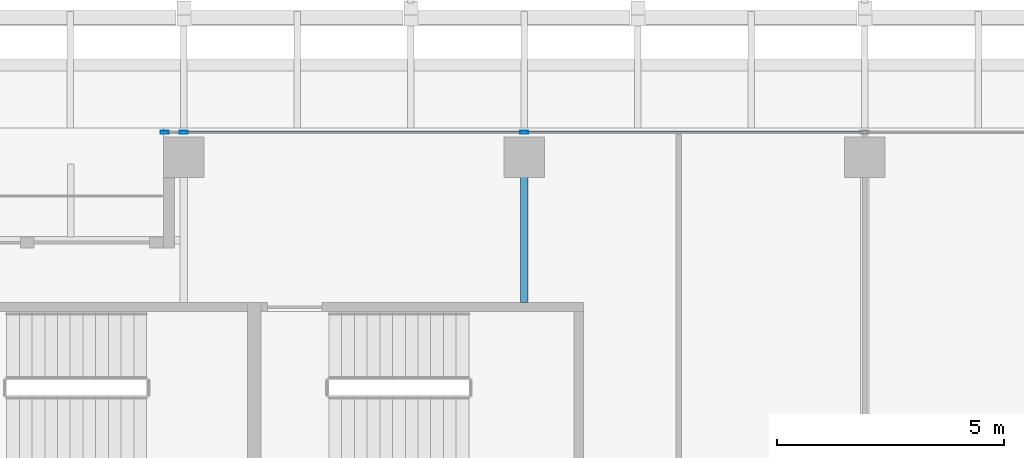
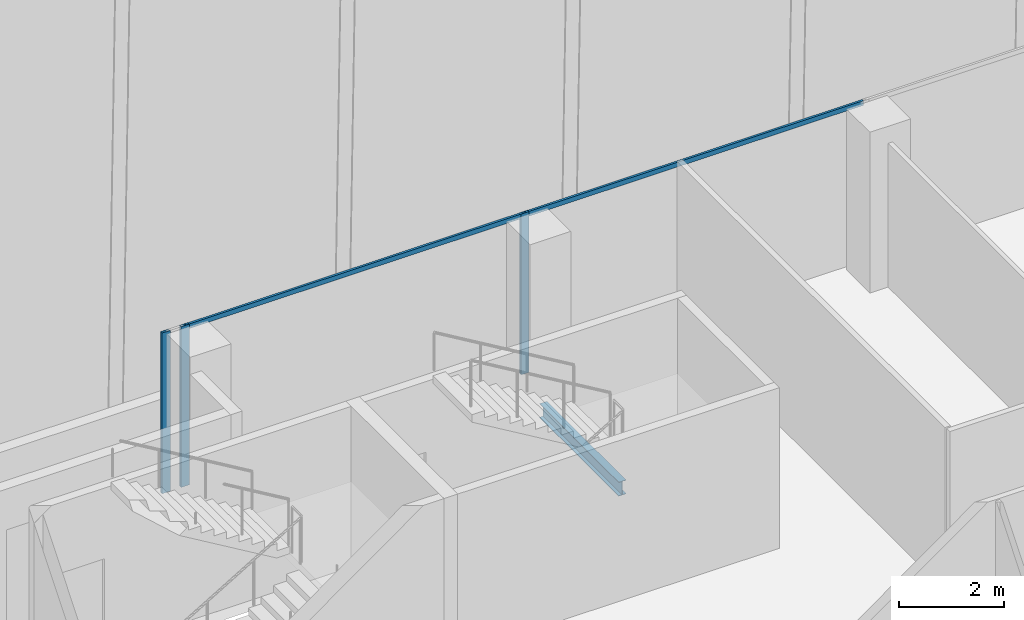
# One storey, part 16 of 33: 5 members, 1 beam, 1 element without a shape of its own.
"""IFC4 building model written with IfcOpenShell, lengths in metres."""

from ifc_helpers import new_model, si_unit, direction, frame, origin, origin_2d, place, context, subcontext, project, spatial, hollow_rectangle, i_section, extrude, source, transform, mapped, material, material_profile, profile_set, type_object, element, aggregate, save


model = new_model("IFC4")

# Units and contexts
model_context = context("Model", 3, precision=1e-05, world=origin(), true_north=direction((0.0, 1.0)))
body_context = subcontext(model_context, "Body", "Model", "MODEL_VIEW")
ifc_project = project(units=[si_unit("LENGTHUNIT", "METRE"), si_unit("AREAUNIT", "SQUARE_METRE"), si_unit("VOLUMEUNIT", "CUBIC_METRE"), si_unit("PLANEANGLEUNIT", "RADIAN"), si_unit("MASSUNIT", "GRAM", prefix="KILO")], contexts=[model_context])

# Site, building, storey
site_placement = place(None, origin())
site = spatial("IfcSite", under=ifc_project, at=site_placement, CompositionType="ELEMENT")
building_placement = place(site_placement, origin())
building = spatial("IfcBuilding", under=site, at=building_placement, Name="Khomas Fold Tower", CompositionType="ELEMENT")
storey_placement = place(building_placement, frame((0.0, 0.0, 222.199951171875)))
storey = spatial("IfcBuildingStorey", under=building, at=storey_placement, Name="L49", CompositionType="ELEMENT", Elevation=222.199951171875)

# Beam
ifc_material_1 = material(Name="Steel S355", Category="steel")
ifc_material_profile_1 = material_profile(ifc_material_1, i_section(OverallWidth=0.159912109375, OverallDepth=0.330078125, WebThickness=0.007568359375, FlangeThickness=0.011474609375, at=origin_2d()), Name="IPE 330")
ifc_profile_set_1 = profile_set([ifc_material_profile_1], Name="Steel S355")
beam_type = type_object("IfcBeamType", Name="IPE 330 beam JB1", PredefinedType="BEAM", material=ifc_profile_set_1)
shared_shape_1 = source(origin(), body_context, "Body", "SweptSolid", [
    extrude(i_section(OverallWidth=0.159912109375, OverallDepth=0.330078125, WebThickness=0.007568359375, FlangeThickness=0.011474609375, at=origin_2d()), origin(), (0.0, 0.0, 1.0), 3.025146484375),
])
beam_placement = place(storey_placement, frame((27.0, 45.64990234375, -0.4150390625), z_axis=(0.0, 1.0, 0.0), x_axis=(-1.0, 0.0, 0.0)))
element("IfcBeam", 1, at=beam_placement, inside=storey, type_object=beam_type, Name="JB1", PredefinedType="BEAM", context=body_context, shape_type="MappedRepresentation", body=[
    mapped(shared_shape_1, transform((0.0, 0.0, 0.0))),
])

# Curtain wall, members
ifc_material_2 = material(Name="Aluminium framed double glazing", Category="aluminium")
curtain_wall_type = type_object("IfcCurtainWallType", Name="SK-Unitised clear-glass wall, office floors CW2", PredefinedType="NOTDEFINED", material=ifc_material_2)
curtain_wall_placement = place(storey_placement, origin())
curtain_wall = element("IfcCurtainWall", 2, at=curtain_wall_placement, inside=storey, type_object=curtain_wall_type, Name="CW2 run L49 06-0", PredefinedType="NOTDEFINED")
ifc_material_3 = material(Name="Aluminium", Category="aluminium")
ifc_material_profile_2 = material_profile(ifc_material_3, hollow_rectangle(XDim=0.06005859375, YDim=0.179931640625, WallThickness=0.00390625, at=origin_2d()), Name="SK-Unitised clear-glass wall, office floors mullion CW2-M")
ifc_profile_set_2 = profile_set([ifc_material_profile_2], Name="Aluminium")
member_type_1 = type_object("IfcMemberType", Name="SK-Unitised clear-glass wall, office floors mullion CW2-M", PredefinedType="MULLION", material=ifc_profile_set_2)
shared_shape_2 = source(origin(), body_context, "Body", "SweptSolid", [
    extrude(hollow_rectangle(XDim=0.06005859375, YDim=0.179931640625, WallThickness=0.00390625, at=origin_2d()), origin(), (0.0, 0.0, 1.0), 3.75),
])
member_1_placement = place(storey_placement, frame((27.0, 49.39990234375, 0.0), z_axis=(0.0, 0.0, 1.0), x_axis=(0.0, -1.0, 0.0)))
member_1 = element("IfcMember", 3, at=member_1_placement, type_object=member_type_1, Name="CW2 mullion 4", PredefinedType="MULLION", context=body_context, shape_type="MappedRepresentation", body=[
    mapped(shared_shape_2, transform((0.0, 0.0, 0.0))),
])
member_2_placement = place(storey_placement, frame((19.5, 49.39990234375, 0.0), z_axis=(0.0, 0.0, 1.0), x_axis=(0.0, -1.0, 0.0)))
member_2 = element("IfcMember", 4, at=member_2_placement, type_object=member_type_1, Name="CW2 mullion 5", PredefinedType="MULLION", context=body_context, shape_type="MappedRepresentation", body=[
    mapped(shared_shape_2, transform((0.0, 0.0, 0.0))),
])
member_3_placement = place(storey_placement, frame((19.080078125, 49.39990234375, 0.0), z_axis=(0.0, 0.0, 1.0), x_axis=(0.0, -1.0, 0.0)))
member_3 = element("IfcMember", 5, at=member_3_placement, type_object=member_type_1, Name="CW2 mullion 6", PredefinedType="MULLION", context=body_context, shape_type="MappedRepresentation", body=[
    mapped(shared_shape_2, transform((0.0, 0.0, 0.0))),
])
ifc_material_4 = material(Name="Aluminium", Category="aluminium")
ifc_material_profile_3 = material_profile(ifc_material_4, hollow_rectangle(XDim=0.050048828125, YDim=0.110107421875, WallThickness=0.00390625, at=origin_2d()), Name="SK-Unitised clear-glass wall, office floors transom CW2-T")
ifc_profile_set_3 = profile_set([ifc_material_profile_3], Name="Aluminium")
member_type_2 = type_object("IfcMemberType", Name="SK-Unitised clear-glass wall, office floors transom CW2-T", PredefinedType="USERDEFINED", material=ifc_profile_set_3)
shared_shape_3 = source(origin(), body_context, "Body", "SweptSolid", [
    extrude(hollow_rectangle(XDim=0.050048828125, YDim=0.110107421875, WallThickness=0.00390625, at=origin_2d()), origin(), (0.0, 0.0, 1.0), 7.43994140625),
])
member_4_placement = place(storey_placement, frame((34.469970703125, 49.39990234375, 3.695068359375), z_axis=(-1.0, 0.0, 0.0), x_axis=(0.0, -1.0, 0.0)))
member_4 = element("IfcMember", 6, at=member_4_placement, type_object=member_type_2, Name="CW2 transom 3", ObjectType="TRANSOM", PredefinedType="USERDEFINED", context=body_context, shape_type="MappedRepresentation", body=[
    mapped(shared_shape_3, transform((0.0, 0.0, 0.0))),
])
member_5_placement = place(storey_placement, frame((26.969970703125, 49.39990234375, 3.695068359375), z_axis=(-1.0, 0.0, 0.0), x_axis=(0.0, -1.0, 0.0)))
member_5 = element("IfcMember", 7, at=member_5_placement, type_object=member_type_2, Name="CW2 transom 4", ObjectType="TRANSOM", PredefinedType="USERDEFINED", context=body_context, shape_type="MappedRepresentation", body=[
    mapped(shared_shape_3, transform((0.0, 0.0, 0.0))),
])
aggregate(curtain_wall, [member_1, member_2, member_3, member_4, member_5])

save(model, "model.ifc")
